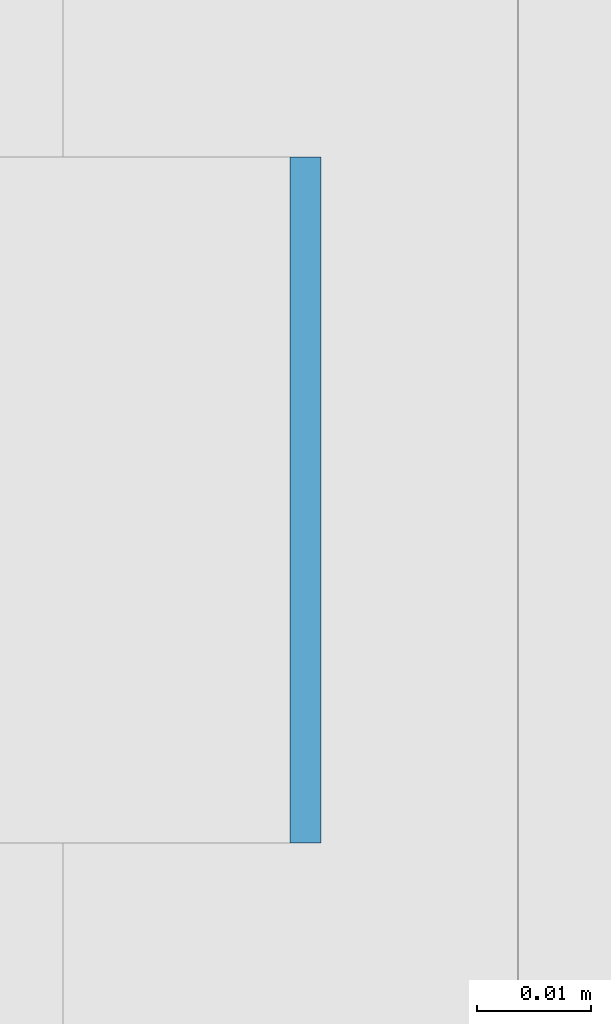
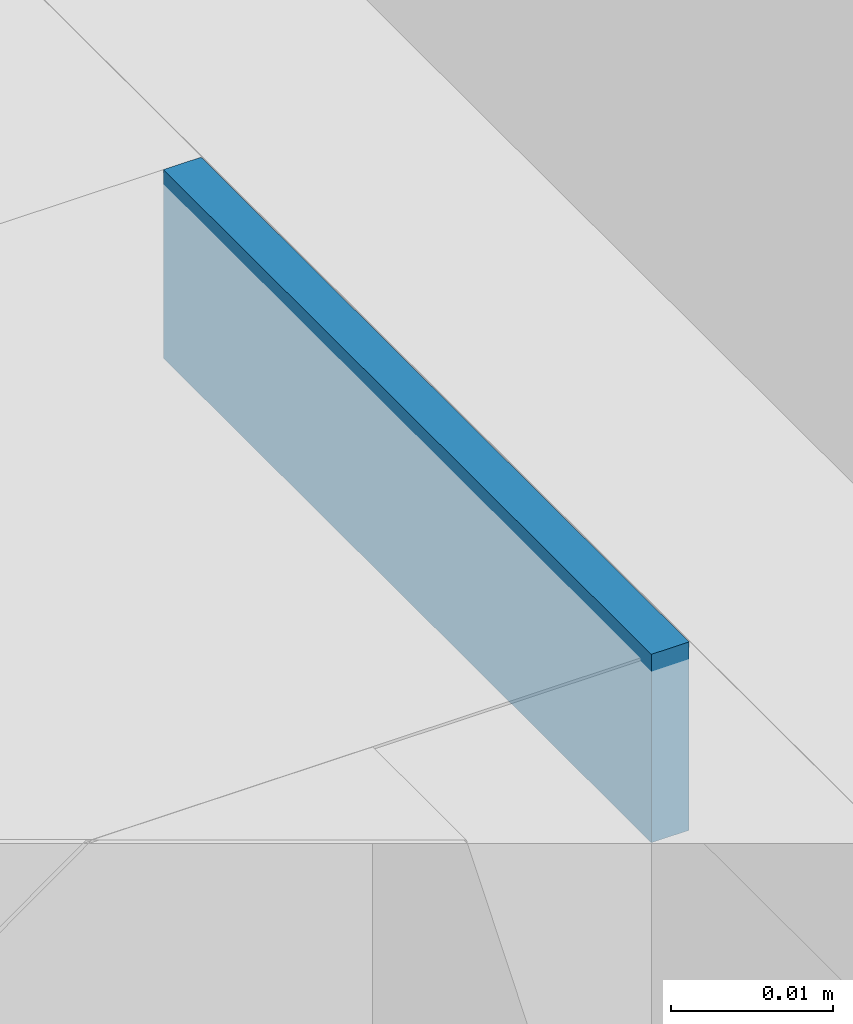
# One storey, part 337 of 646: 1 discrete accessory.
"""IFC4 building model written with IfcOpenShell, lengths in metres."""

from ifc_helpers import new_model, si_unit, direction, frame, origin, origin_2d, place, context, subcontext, project, spatial, rectangle, extrude, material, type_object, element, save


model = new_model("IFC4")

# Units and contexts
model_context = context("Model", 3, precision=1e-05, world=origin(), true_north=direction((0.0, 1.0)))
body_context = subcontext(model_context, "Body", "Model", "MODEL_VIEW")
ifc_project = project(units=[si_unit("LENGTHUNIT", "METRE"), si_unit("AREAUNIT", "SQUARE_METRE"), si_unit("VOLUMEUNIT", "CUBIC_METRE"), si_unit("PLANEANGLEUNIT", "RADIAN"), si_unit("MASSUNIT", "GRAM", prefix="KILO")], contexts=[model_context])

# Site, building, storey
site_placement = place(None, origin())
site = spatial("IfcSite", under=ifc_project, at=site_placement, CompositionType="ELEMENT")
building_placement = place(site_placement, origin())
building = spatial("IfcBuilding", under=site, at=building_placement, Name="Silverbay Arena", CompositionType="ELEMENT")
storey_placement = place(building_placement, frame((0.0, 0.0, 33.5)))
storey = spatial("IfcBuildingStorey", under=building, at=storey_placement, Name="L05", CompositionType="ELEMENT", Elevation=33.5)

# Discrete accessory
ifc_material = material(Name="Steel S355", Category="steel")
discrete_accessory_type = type_object("IfcDiscreteAccessoryType", Name="Steel bracket plate", PredefinedType="BRACKET", material=ifc_material)
discrete_accessory_placement = place(storey_placement, frame((53.871337890625, 83.571533203125, 12.98583984375), z_axis=(0.0, 0.0, 1.0), x_axis=(1.0, 0.0, 0.0)))
element("IfcDiscreteAccessory", 1, at=discrete_accessory_placement, inside=storey, type_object=discrete_accessory_type, Name="Curtain wall packing plate", PredefinedType="BRACKET", context=body_context, shape_type="SweptSolid", body=[
    extrude(rectangle(XDim=0.002685546875, YDim=0.06005859375, at=origin_2d()), origin(), (0.0, 0.0, 1.0), 0.01416015625),
])

save(model, "model.ifc")
